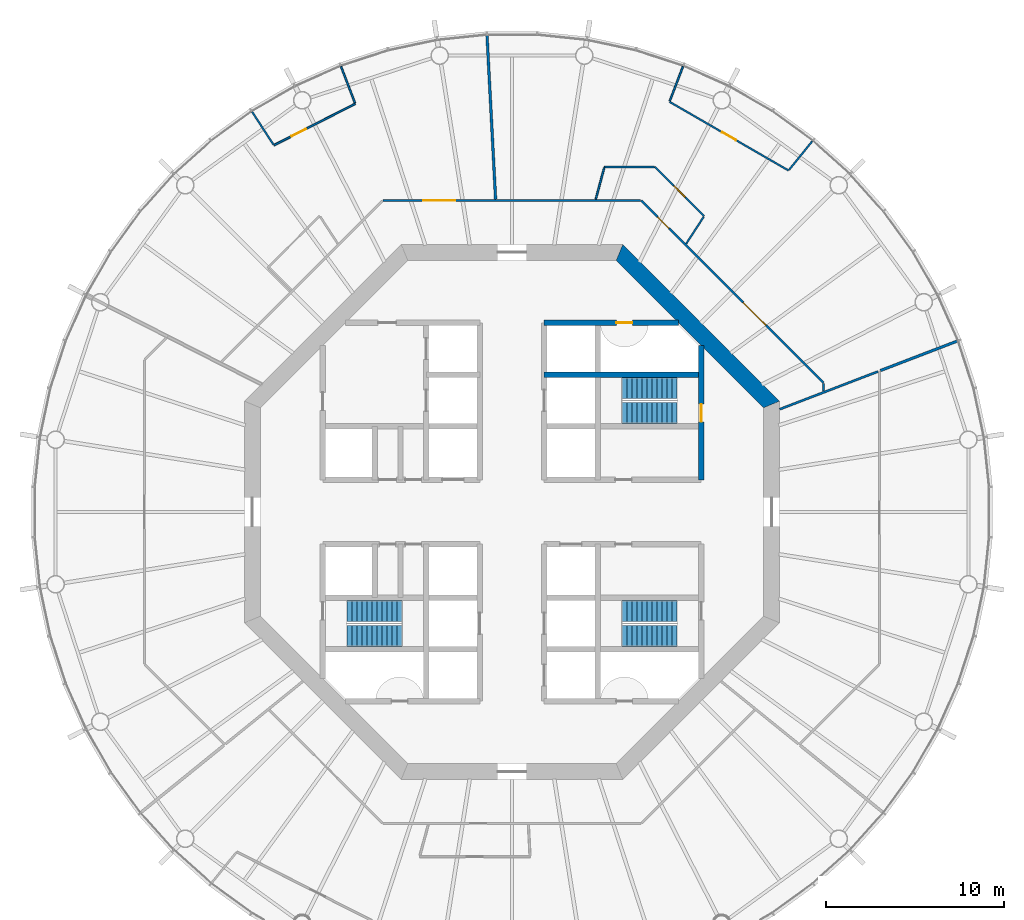
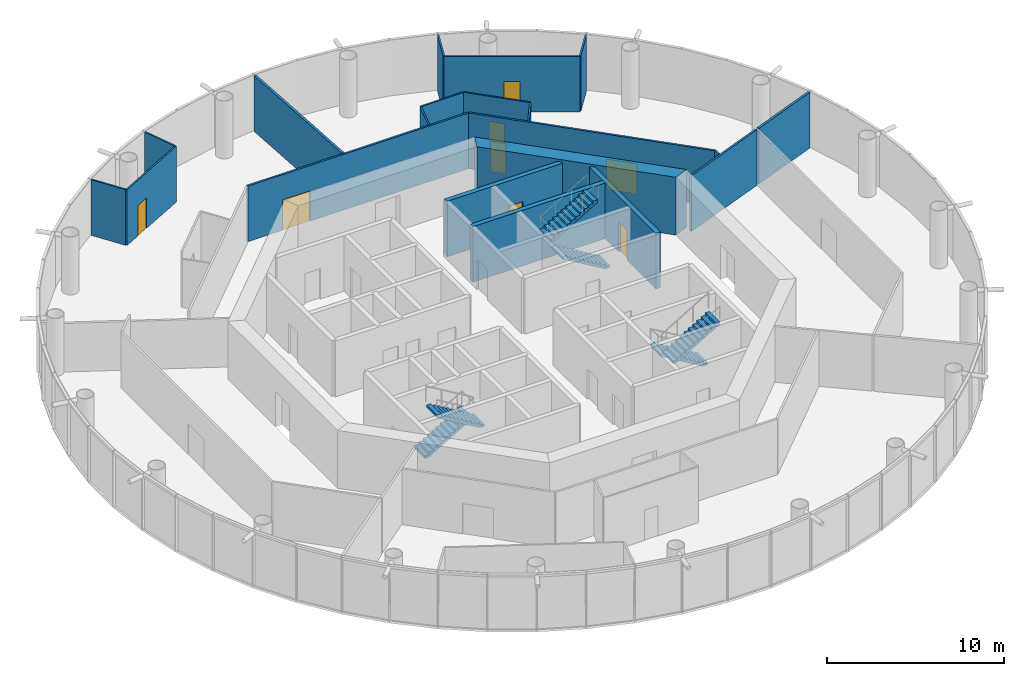
# One storey, part 5 of 12: 20 walls, 8 doors, 6 stair flights, 8 openings, 3 elements without a shape of their own.
"""IFC4 building model written with IfcOpenShell, lengths in metres."""

from ifc_helpers import new_model, si_unit, direction, frame, frame_2d, origin, place, context, subcontext, project, spatial, polyline, rectangle, outline, extrude, material, layer, layer_set, type_object, element, fill, aggregate, save


model = new_model("IFC4")

# Units and contexts
model_context = context("Model", 3, precision=1e-05, world=origin(), true_north=direction((0.0, 1.0)))
body_context = subcontext(model_context, "Body", "Model", "MODEL_VIEW")
ifc_project = project(units=[si_unit("LENGTHUNIT", "METRE"), si_unit("AREAUNIT", "SQUARE_METRE"), si_unit("VOLUMEUNIT", "CUBIC_METRE"), si_unit("PLANEANGLEUNIT", "RADIAN"), si_unit("MASSUNIT", "GRAM", prefix="KILO")], contexts=[model_context])

# Site, building, storey
site_placement = place(None, origin())
site = spatial("IfcSite", under=ifc_project, at=site_placement, CompositionType="ELEMENT")
building_placement = place(site_placement, origin())
building = spatial("IfcBuilding", under=site, at=building_placement, Name="Entoto Ring Tower", CompositionType="ELEMENT")
storey_placement = place(building_placement, frame((0.0, 0.0, 246.0)))
storey = spatial("IfcBuildingStorey", under=building, at=storey_placement, Name="L56", CompositionType="ELEMENT", Elevation=246.0)

# Wall, opening, door
ifc_material_1 = material(Name="Concrete C40/50", Category="concrete")
ifc_layer_1 = layer(ifc_material_1, 0.300048828125)
ifc_layer_set_1 = layer_set([ifc_layer_1], Name="Concrete C40/50")
wall_type_1 = type_object("IfcWallType", Name="Core enclosure wall 300 mm reinforced concrete", PredefinedType="SOLIDWALL", material=ifc_layer_set_1)
wall_1_placement = place(storey_placement, frame((100.60009765625, 81.800048828125, 0.0), z_axis=(0.0, 0.0, 1.0), x_axis=(0.0, 1.0, 0.0)))
wall_1 = element("IfcWall", 1, at=wall_1_placement, inside=storey, type_object=wall_type_1, Name="wall-L56-002", PredefinedType="SOLIDWALL", context=body_context, shape_type="SweptSolid", body=[
    extrude(rectangle(XDim=7.540283203125, YDim=0.300048828125, at=frame_2d((3.77001953125, 0.0))), origin(), (0.0, 0.0, 1.0), 3.85009765625),
])
opening_1_placement = place(wall_1_placement, frame((3.25, 0.0, 0.0)))
opening_1 = element("IfcOpeningElement", 2, at=opening_1_placement, cuts=wall_1, Name="Opening K-17", PredefinedType="OPENING", context=body_context, shape_type="SweptSolid", body=[
    extrude(rectangle(XDim=1.0, YDim=2.10009765625, at=frame_2d((0.5, 1.050048828125))), frame((0.0, 0.16015625, 0.0), z_axis=(0.0, -1.0, 0.0), x_axis=(1.0, 0.0, 0.0)), (0.0, 0.0, 1.0), 0.320068359375),
])
ifc_material_2 = material(Name="Steel door leaf, fire rated", Category="steel")
ifc_layer_2 = layer(ifc_material_2, 0.050048828125)
ifc_layer_set_2 = layer_set([ifc_layer_2], Name="Steel door leaf, fire rated")
door_type_1 = type_object("IfcDoorType", Name="Fire door FD60 1000 x 2100 single leaf", OperationType="NOTDEFINED", PredefinedType="DOOR", material=ifc_layer_set_2)
door_1_placement = place(opening_1_placement, origin())
door_1 = element("IfcDoor", 3, at=door_1_placement, inside=storey, type_object=door_type_1, Name="Door K-17", OperationType="SINGLE_SWING_LEFT", OverallHeight=2.10009765625, OverallWidth=1.0, PredefinedType="DOOR", context=body_context, shape_type="SweptSolid", body=[
    extrude(rectangle(XDim=1.0, YDim=2.10009765625, at=frame_2d((0.5, 1.050048828125))), frame((0.0, 0.02490234375, 0.0), z_axis=(0.0, -1.0, 0.0), x_axis=(1.0, 0.0, 0.0)), (0.0, 0.0, 1.0), 0.050048828125),
])
fill(opening_1, door_1)

# Wall
wall_2_placement = place(storey_placement, frame((91.800048828125, 87.699951171875, 0.0), z_axis=(0.0, 0.0, 1.0), x_axis=(1.0, 0.0, 0.0)))
element("IfcWall", 4, at=wall_2_placement, inside=storey, type_object=wall_type_1, Name="wall-L56-030", PredefinedType="SOLIDWALL", context=body_context, shape_type="SweptSolid", body=[
    extrude(rectangle(XDim=8.800048828125, YDim=0.300048828125, at=frame_2d((4.39990234375, 0.0))), origin(), (0.0, 0.0, 1.0), 3.85009765625),
])

# Wall, opening, door
wall_3_placement = place(storey_placement, frame((91.800048828125, 90.60009765625, 0.0), z_axis=(0.0, 0.0, 1.0), x_axis=(1.0, 0.0, 0.0)))
wall_3 = element("IfcWall", 5, at=wall_3_placement, inside=storey, type_object=wall_type_1, Name="wall-L56-032", PredefinedType="SOLIDWALL", context=body_context, shape_type="SweptSolid", body=[
    extrude(rectangle(XDim=7.540283203125, YDim=0.300048828125, at=frame_2d((3.77001953125, 0.0))), origin(), (0.0, 0.0, 1.0), 3.85009765625),
])
opening_2_placement = place(wall_3_placement, frame((4.050048828125, 0.0, 0.0)))
opening_2 = element("IfcOpeningElement", 6, at=opening_2_placement, cuts=wall_3, Name="Opening K-20", PredefinedType="OPENING", context=body_context, shape_type="SweptSolid", body=[
    extrude(rectangle(XDim=0.89990234375, YDim=2.10009765625, at=frame_2d((0.449951171875, 1.050048828125))), frame((0.0, 0.16015625, 0.0), z_axis=(0.0, -1.0, 0.0), x_axis=(1.0, 0.0, 0.0)), (0.0, 0.0, 1.0), 0.320068359375),
])
ifc_material_3 = material(Name="Steel door leaf, fire rated", Category="steel")
ifc_layer_3 = layer(ifc_material_3, 0.050048828125)
ifc_layer_set_3 = layer_set([ifc_layer_3], Name="Steel door leaf, fire rated")
door_type_2 = type_object("IfcDoorType", Name="Riser door FD60 900 x 2100 single leaf", OperationType="NOTDEFINED", PredefinedType="DOOR", material=ifc_layer_set_3)
door_2_placement = place(opening_2_placement, frame((0.89990234375, 0.0, 0.0), z_axis=(0.0, 0.0, 1.0), x_axis=(-1.0, 0.0, 0.0)))
door_2 = element("IfcDoor", 7, at=door_2_placement, inside=storey, type_object=door_type_2, Name="Door K-20", OperationType="SINGLE_SWING_RIGHT", OverallHeight=2.10009765625, OverallWidth=0.89990234375, PredefinedType="DOOR", context=body_context, shape_type="SweptSolid", body=[
    extrude(rectangle(XDim=0.89990234375, YDim=2.10009765625, at=frame_2d((0.449951171875, 1.050048828125))), frame((0.0, 0.02490234375, 0.0), z_axis=(0.0, -1.0, 0.0), x_axis=(1.0, 0.0, 0.0)), (0.0, 0.0, 1.0), 0.050048828125),
])
fill(opening_2, door_2)

# Wall
ifc_material_4 = material(Name="Concrete C50/60", Category="concrete")
ifc_layer_4 = layer(ifc_material_4, 0.89990234375)
ifc_layer_set_4 = layer_set([ifc_layer_4], Name="Concrete C50/60")
wall_type_2 = type_object("IfcWallType", Name="Core shear wall 900 mm reinforced concrete C50/60", PredefinedType="SHEAR", material=ifc_layer_set_4)
wall_4_placement = place(storey_placement, frame((104.550048828125, 86.02685546875, 0.0), z_axis=(0.0, 0.0, 1.0), x_axis=(-0.707106781187, 0.707106781187, 0.0)))
element("IfcWall", 8, at=wall_4_placement, inside=storey, type_object=wall_type_2, Name="wall-L56-core-1", PredefinedType="SHEAR", context=body_context, shape_type="SweptSolid", body=[
    extrude(outline(polyline([(-0.186279296875, -0.449951171875), (12.239990234375, -0.449951171875), (11.867431640625, 0.449951171875), (0.186279296875, 0.449951171875), (-0.186279296875, -0.449951171875)])), origin(), (0.0, 0.0, 1.0), 4.0),
])

# Wall, openings, doors
ifc_material_5 = material(Name="Fire-resisting plasterboard on steel studs", Category="steel")
ifc_layer_5 = layer(ifc_material_5, 0.125)
ifc_layer_set_5 = layer_set([ifc_layer_5], Name="Fire-resisting plasterboard on steel studs")
wall_type_3 = type_object("IfcWallType", Name="Corridor wall 125 mm one-hour plasterboard on steel studs", PredefinedType="PARTITIONING", material=ifc_layer_set_5)
wall_5_placement = place(storey_placement, frame((107.46240234375, 87.233154296875, 0.0), z_axis=(0.0, 0.0, 1.0), x_axis=(-0.707106781187, 0.707106781187, 0.0)))
wall_5 = element("IfcWall", 9, at=wall_5_placement, inside=storey, type_object=wall_type_3, Name="partition-L56-003", PredefinedType="PARTITIONING", context=body_context, shape_type="SweptSolid", body=[
    extrude(rectangle(XDim=14.46630859375, YDim=0.125, at=frame_2d((7.233154296875, 0.0))), origin(), (0.0, 0.0, 1.0), 3.85009765625),
])
opening_3_placement = place(wall_5_placement, frame((4.572509765625, 0.0, 0.0)))
opening_3 = element("IfcOpeningElement", 10, at=opening_3_placement, cuts=wall_5, Name="Opening A24-D03", PredefinedType="OPENING", context=body_context, shape_type="SweptSolid", body=[
    extrude(rectangle(XDim=1.800048828125, YDim=2.10009765625, at=frame_2d((0.89990234375, 1.050048828125))), frame((0.0, 0.072509765625, 0.0), z_axis=(0.0, -1.0, 0.0), x_axis=(1.0, 0.0, 0.0)), (0.0, 0.0, 1.0), 0.14501953125),
])
opening_4_placement = place(wall_5_placement, frame((12.255615234375, 0.0, 0.0)))
opening_4 = element("IfcOpeningElement", 11, at=opening_4_placement, cuts=wall_5, Name="Opening A24-D05", PredefinedType="OPENING", context=body_context, shape_type="SweptSolid", body=[
    extrude(rectangle(XDim=0.89990234375, YDim=2.10009765625, at=frame_2d((0.449951171875, 1.050048828125))), frame((0.0, 0.072509765625, 0.0), z_axis=(0.0, -1.0, 0.0), x_axis=(1.0, 0.0, 0.0)), (0.0, 0.0, 1.0), 0.14501953125),
])
ifc_material_6 = material(Name="Fire-resisting timber door set", Category="wood")
door_type_3 = type_object("IfcDoorType", Name="Door 1000 x 2100 single leaf FD30S fire door", OperationType="NOTDEFINED", PredefinedType="DOOR", material=ifc_material_6)
door_3_placement = place(opening_4_placement, frame((0.89990234375, 0.0, 0.0), z_axis=(0.0, 0.0, 1.0), x_axis=(-1.0, 0.0, 0.0)))
door_3 = element("IfcDoor", 12, at=door_3_placement, inside=storey, type_object=door_type_3, Name="Door A24-D05", OperationType="SINGLE_SWING_RIGHT", OverallHeight=2.10009765625, OverallWidth=0.89990234375, PredefinedType="DOOR", context=body_context, shape_type="SweptSolid", body=[
    extrude(rectangle(XDim=0.89990234375, YDim=2.10009765625, at=frame_2d((0.449951171875, 1.050048828125))), frame((0.0, 0.02490234375, 0.0), z_axis=(0.0, -1.0, 0.0), x_axis=(1.0, 0.0, 0.0)), (0.0, 0.0, 1.0), 0.050048828125),
])
fill(opening_4, door_3)
ifc_material_7 = material(Name="Fire-resisting timber door set", Category="wood")
door_type_4 = type_object("IfcDoorType", Name="Door 1800 x 2100 double leaf FD30S fire door", OperationType="DOUBLE_DOOR_SINGLE_SWING", PredefinedType="DOOR", material=ifc_material_7)
door_4_placement = place(opening_3_placement, frame((1.800048828125, 0.0, 0.0), z_axis=(0.0, 0.0, 1.0), x_axis=(-1.0, 0.0, 0.0)))
door_4 = element("IfcDoor", 13, at=door_4_placement, inside=storey, type_object=door_type_4, Name="Door A24-D03", OperationType="DOUBLE_DOOR_SINGLE_SWING", OverallHeight=2.10009765625, OverallWidth=1.800048828125, PredefinedType="DOOR", context=body_context, shape_type="SweptSolid", body=[
    extrude(rectangle(XDim=1.800048828125, YDim=2.10009765625, at=frame_2d((0.89990234375, 1.050048828125))), frame((0.0, 0.02490234375, 0.0), z_axis=(0.0, -1.0, 0.0), x_axis=(1.0, 0.0, 0.0)), (0.0, 0.0, 1.0), 0.050048828125),
])
fill(opening_3, door_4)

# Wall, opening, door
wall_6_placement = place(storey_placement, frame((82.766845703125, 97.46240234375, 0.0), z_axis=(0.0, 0.0, 1.0), x_axis=(1.0, 0.0, 0.0)))
wall_6 = element("IfcWall", 14, at=wall_6_placement, inside=storey, type_object=wall_type_3, Name="partition-L56-005", PredefinedType="PARTITIONING", context=body_context, shape_type="SweptSolid", body=[
    extrude(rectangle(XDim=14.42236328125, YDim=0.125, at=frame_2d((7.211181640625, 0.0))), origin(), (0.0, 0.0, 1.0), 3.85009765625),
])
opening_5_placement = place(wall_6_placement, frame((2.259033203125, 0.0, 0.0)))
opening_5 = element("IfcOpeningElement", 15, at=opening_5_placement, cuts=wall_6, Name="Opening A24-D07", PredefinedType="OPENING", context=body_context, shape_type="SweptSolid", body=[
    extrude(rectangle(XDim=1.800048828125, YDim=2.10009765625, at=frame_2d((0.89990234375, 1.050048828125))), frame((0.0, 0.072509765625, 0.0), z_axis=(0.0, -1.0, 0.0), x_axis=(1.0, 0.0, 0.0)), (0.0, 0.0, 1.0), 0.14501953125),
])
door_5_placement = place(opening_5_placement, origin())
door_5 = element("IfcDoor", 16, at=door_5_placement, inside=storey, type_object=door_type_4, Name="Door A24-D07", OperationType="DOUBLE_DOOR_SINGLE_SWING", OverallHeight=2.10009765625, OverallWidth=1.800048828125, PredefinedType="DOOR", context=body_context, shape_type="SweptSolid", body=[
    extrude(rectangle(XDim=1.800048828125, YDim=2.10009765625, at=frame_2d((0.89990234375, 1.050048828125))), frame((0.0, 0.02490234375, 0.0), z_axis=(0.0, -1.0, 0.0), x_axis=(1.0, 0.0, 0.0)), (0.0, 0.0, 1.0), 0.050048828125),
])
fill(opening_5, door_5)

# Walls
wall_7_placement = place(storey_placement, frame((105.0, 85.758056640625, 0.0), z_axis=(0.0, 0.0, 1.0), x_axis=(0.933592488158, 0.358336526264, 0.0)))
element("IfcWall", 17, at=wall_7_placement, inside=storey, type_object=wall_type_3, Name="partition-L56-011", PredefinedType="PARTITIONING", context=body_context, shape_type="SweptSolid", body=[
    extrude(rectangle(XDim=5.90771484375, YDim=0.125, at=frame_2d((2.953857421875, 0.0))), origin(), (0.0, 0.0, 1.0), 3.85009765625),
])
wall_8_placement = place(storey_placement, frame((107.46240234375, 86.7939453125, 0.0), z_axis=(0.0, 0.0, 1.0), x_axis=(0.0, 1.0, 0.0)))
element("IfcWall", 18, at=wall_8_placement, inside=storey, type_object=wall_type_3, Name="partition-L56-016", PredefinedType="PARTITIONING", context=body_context, shape_type="SweptSolid", body=[
    extrude(rectangle(XDim=0.395263671875, YDim=0.125, at=frame_2d((0.19775390625, 0.0))), origin(), (0.0, 0.0, 1.0), 3.85009765625),
])

# Wall, opening, door
ifc_material_8 = material(Name="Plasterboard on steel studs", Category="steel")
ifc_layer_6 = layer(ifc_material_8, 0.10009765625)
ifc_layer_set_6 = layer_set([ifc_layer_6], Name="Plasterboard on steel studs")
wall_type_4 = type_object("IfcWallType", Name="Partition 100 mm plasterboard on steel studs", PredefinedType="PARTITIONING", material=ifc_layer_set_6)
wall_9_placement = place(storey_placement, frame((105.500244140625, 99.14111328125, 0.0), z_axis=(0.0, 0.0, 1.0), x_axis=(-0.866023614981, 0.500003098285, 0.0)))
wall_9 = element("IfcWall", 19, at=wall_9_placement, inside=storey, type_object=wall_type_4, Name="partition-L56-023", PredefinedType="PARTITIONING", context=body_context, shape_type="SweptSolid", body=[
    extrude(rectangle(XDim=7.7060546875, YDim=0.10009765625, at=frame_2d((3.85302734375, 0.0))), origin(), (0.0, 0.0, 1.0), 3.85009765625),
])
opening_6_placement = place(wall_9_placement, frame((3.403076171875, 0.0, 0.0)))
opening_6 = element("IfcOpeningElement", 20, at=opening_6_placement, cuts=wall_9, Name="Opening A24-D06", PredefinedType="OPENING", context=body_context, shape_type="SweptSolid", body=[
    extrude(rectangle(XDim=0.89990234375, YDim=2.10009765625, at=frame_2d((0.449951171875, 1.050048828125))), frame((0.0, 0.06005859375, 0.0), z_axis=(0.0, -1.0, 0.0), x_axis=(1.0, 0.0, 0.0)), (0.0, 0.0, 1.0), 0.1201171875),
])
ifc_material_9 = material(Name="Veneered timber door leaf in timber frame", Category="wood")
door_type_5 = type_object("IfcDoorType", Name="Door 900 x 2100 single leaf timber veneer", OperationType="NOTDEFINED", PredefinedType="DOOR", material=ifc_material_9)
door_6_placement = place(opening_6_placement, frame((0.89990234375, 0.0, 0.0), z_axis=(0.0, 0.0, 1.0), x_axis=(-1.0, 0.0, 0.0)))
door_6 = element("IfcDoor", 21, at=door_6_placement, inside=storey, type_object=door_type_5, Name="Door A24-D06", OperationType="SINGLE_SWING_RIGHT", OverallHeight=2.10009765625, OverallWidth=0.89990234375, PredefinedType="DOOR", context=body_context, shape_type="SweptSolid", body=[
    extrude(rectangle(XDim=0.89990234375, YDim=2.10009765625, at=frame_2d((0.449951171875, 1.050048828125))), frame((0.0, 0.02490234375, 0.0), z_axis=(0.0, -1.0, 0.0), x_axis=(1.0, 0.0, 0.0)), (0.0, 0.0, 1.0), 0.050048828125),
])
fill(opening_6, door_6)

wall_10_placement = place(storey_placement, frame((76.65087890625, 100.555908203125, 0.0), z_axis=(0.0, 0.0, 1.0), x_axis=(0.891008950858, 0.4539857371, 0.0)))
wall_10 = element("IfcWall", 22, at=wall_10_placement, inside=storey, type_object=wall_type_4, Name="partition-L56-025", PredefinedType="PARTITIONING", context=body_context, shape_type="SweptSolid", body=[
    extrude(rectangle(XDim=5.123779296875, YDim=0.10009765625, at=frame_2d((2.56201171875, 0.0))), origin(), (0.0, 0.0, 1.0), 3.85009765625),
])
opening_7_placement = place(wall_10_placement, frame((1.11474609375, 0.0, 0.0)))
opening_7 = element("IfcOpeningElement", 23, at=opening_7_placement, cuts=wall_10, Name="Opening A24-D09", PredefinedType="OPENING", context=body_context, shape_type="SweptSolid", body=[
    extrude(rectangle(XDim=0.89990234375, YDim=2.10009765625, at=frame_2d((0.449951171875, 1.050048828125))), frame((0.0, 0.06005859375, 0.0), z_axis=(0.0, -1.0, 0.0), x_axis=(1.0, 0.0, 0.0)), (0.0, 0.0, 1.0), 0.1201171875),
])
door_7_placement = place(opening_7_placement, origin())
door_7 = element("IfcDoor", 24, at=door_7_placement, inside=storey, type_object=door_type_5, Name="Door A24-D09", OperationType="SINGLE_SWING_LEFT", OverallHeight=2.10009765625, OverallWidth=0.89990234375, PredefinedType="DOOR", context=body_context, shape_type="SweptSolid", body=[
    extrude(rectangle(XDim=0.89990234375, YDim=2.10009765625, at=frame_2d((0.449951171875, 1.050048828125))), frame((0.0, 0.02490234375, 0.0), z_axis=(0.0, -1.0, 0.0), x_axis=(1.0, 0.0, 0.0)), (0.0, 0.0, 1.0), 0.050048828125),
])
fill(opening_7, door_7)

wall_11_placement = place(storey_placement, frame((100.77001953125, 96.58447265625, 0.0), z_axis=(0.0, 0.0, 1.0), x_axis=(-0.707106781187, 0.707106781187, 0.0)))
wall_11 = element("IfcWall", 25, at=wall_11_placement, inside=storey, type_object=wall_type_4, Name="partition-L56-027", PredefinedType="PARTITIONING", context=body_context, shape_type="SweptSolid", body=[
    extrude(rectangle(XDim=3.900390625, YDim=0.10009765625, at=frame_2d((1.9501953125, 0.0))), origin(), (0.0, 0.0, 1.0), 3.85009765625),
])
opening_8_placement = place(wall_11_placement, frame((1.500244140625, 0.0, 0.0)))
opening_8 = element("IfcOpeningElement", 26, at=opening_8_placement, cuts=wall_11, Name="Opening A24-D04", PredefinedType="OPENING", context=body_context, shape_type="SweptSolid", body=[
    extrude(rectangle(XDim=0.89990234375, YDim=2.10009765625, at=frame_2d((0.449951171875, 1.050048828125))), frame((0.0, 0.06005859375, 0.0), z_axis=(0.0, -1.0, 0.0), x_axis=(1.0, 0.0, 0.0)), (0.0, 0.0, 1.0), 0.1201171875),
])
door_8_placement = place(opening_8_placement, origin())
door_8 = element("IfcDoor", 27, at=door_8_placement, inside=storey, type_object=door_type_5, Name="Door A24-D04", OperationType="SINGLE_SWING_LEFT", OverallHeight=2.10009765625, OverallWidth=0.89990234375, PredefinedType="DOOR", context=body_context, shape_type="SweptSolid", body=[
    extrude(rectangle(XDim=0.89990234375, YDim=2.10009765625, at=frame_2d((0.449951171875, 1.050048828125))), frame((0.0, 0.02490234375, 0.0), z_axis=(0.0, -1.0, 0.0), x_axis=(1.0, 0.0, 0.0)), (0.0, 0.0, 1.0), 0.050048828125),
])
fill(opening_8, door_8)

# Walls
wall_12_placement = place(storey_placement, frame((95.182861328125, 99.342529296875, 0.0), z_axis=(0.0, 0.0, 1.0), x_axis=(1.0, 0.0, 0.0)))
element("IfcWall", 28, at=wall_12_placement, inside=storey, type_object=wall_type_4, Name="partition-L56-028", PredefinedType="PARTITIONING", context=body_context, shape_type="SweptSolid", body=[
    extrude(rectangle(XDim=2.7939453125, YDim=0.10009765625, at=frame_2d((1.39697265625, 0.0))), origin(), (0.0, 0.0, 1.0), 3.85009765625),
])
wall_13_placement = place(storey_placement, frame((81.198486328125, 102.928466796875, 0.0), z_axis=(0.0, 0.0, 1.0), x_axis=(-0.35834116207, 0.933590708805, 0.0)))
element("IfcWall", 29, at=wall_13_placement, inside=storey, type_object=wall_type_4, Name="partition-L56-029", PredefinedType="PARTITIONING", context=body_context, shape_type="SweptSolid", body=[
    extrude(rectangle(XDim=2.18017578125, YDim=0.10009765625, at=frame_2d((1.090087890625, 0.0))), origin(), (0.0, 0.0, 1.0), 3.85009765625),
])
wall_14_placement = place(storey_placement, frame((76.623779296875, 100.597412109375, 0.0), z_axis=(0.0, 0.0, 1.0), x_axis=(-0.544634083257, 0.838673783634, 0.0)))
element("IfcWall", 30, at=wall_14_placement, inside=storey, type_object=wall_type_4, Name="partition-L56-031", PredefinedType="PARTITIONING", context=body_context, shape_type="SweptSolid", body=[
    extrude(rectangle(XDim=2.180419921875, YDim=0.10009765625, at=frame_2d((1.09033203125, 0.0))), origin(), (0.0, 0.0, 1.0), 3.85009765625),
])
wall_15_placement = place(storey_placement, frame((98.84423828125, 103.0400390625, 0.0), z_axis=(0.0, 0.0, 1.0), x_axis=(0.358383583251, 0.93357442513, 0.0)))
element("IfcWall", 31, at=wall_15_placement, inside=storey, type_object=wall_type_4, Name="partition-L56-033", PredefinedType="PARTITIONING", context=body_context, shape_type="SweptSolid", body=[
    extrude(rectangle(XDim=2.060791015625, YDim=0.10009765625, at=frame_2d((1.0302734375, 0.0))), origin(), (0.0, 0.0, 1.0), 3.85009765625),
])
wall_16_placement = place(storey_placement, frame((105.53125, 99.179443359375, 0.0), z_axis=(0.0, 0.0, 1.0), x_axis=(0.629235718864, 0.777214520005, 0.0)))
element("IfcWall", 32, at=wall_16_placement, inside=storey, type_object=wall_type_4, Name="partition-L56-034", PredefinedType="PARTITIONING", context=body_context, shape_type="SweptSolid", body=[
    extrude(rectangle(XDim=2.060546875, YDim=0.10009765625, at=frame_2d((1.0302734375, 0.0))), origin(), (0.0, 0.0, 1.0), 3.85009765625),
])
wall_17_placement = place(storey_placement, frame((94.69921875, 97.537841796875, 0.0), z_axis=(0.0, 0.0, 1.0), x_axis=(0.25888135243, 0.965909128937, 0.0)))
element("IfcWall", 33, at=wall_17_placement, inside=storey, type_object=wall_type_4, Name="partition-L56-035", PredefinedType="PARTITIONING", context=body_context, shape_type="SweptSolid", body=[
    extrude(rectangle(XDim=1.820068359375, YDim=0.10009765625, at=frame_2d((0.91015625, 0.0))), origin(), (0.0, 0.0, 1.0), 3.85009765625),
])
wall_18_placement = place(storey_placement, frame((99.763916015625, 95.034912109375, 0.0), z_axis=(0.0, 0.0, 1.0), x_axis=(0.544573203317, 0.838713315877, 0.0)))
element("IfcWall", 34, at=wall_18_placement, inside=storey, type_object=wall_type_4, Name="partition-L56-038", PredefinedType="PARTITIONING", context=body_context, shape_type="SweptSolid", body=[
    extrude(rectangle(XDim=1.798583984375, YDim=0.10009765625, at=frame_2d((0.8994140625, 0.0))), origin(), (0.0, 0.0, 1.0), 3.85009765625),
])
ifc_material_10 = material(Name="Fire-resisting acoustic plasterboard on steel studs", Category="steel")
ifc_layer_7 = layer(ifc_material_10, 0.14990234375)
ifc_layer_set_7 = layer_set([ifc_layer_7], Name="Fire-resisting acoustic plasterboard on steel studs")
wall_type_5 = type_object("IfcWallType", Name="Party wall 150 mm one-hour acoustic plasterboard on steel studs", PredefinedType="PARTITIONING", material=ifc_layer_set_7)
wall_19_placement = place(storey_placement, frame((89.081298828125, 97.52880859375, 0.0), z_axis=(0.0, 0.0, 1.0), x_axis=(-0.052324509301, 0.998630134598, 0.0)))
element("IfcWall", 35, at=wall_19_placement, inside=storey, type_object=wall_type_5, Name="partition-L56-017", PredefinedType="PARTITIONING", context=body_context, shape_type="SweptSolid", body=[
    extrude(rectangle(XDim=9.187255859375, YDim=0.14990234375, at=frame_2d((4.59375, 0.0))), origin(), (0.0, 0.0, 1.0), 3.85009765625),
])
wall_20_placement = place(storey_placement, frame((110.654296875, 87.928466796875, 0.0), z_axis=(0.0, 0.0, 1.0), x_axis=(0.933579859324, 0.358369427078, 0.0)))
element("IfcWall", 36, at=wall_20_placement, inside=storey, type_object=wall_type_5, Name="partition-L56-021", PredefinedType="PARTITIONING", context=body_context, shape_type="SweptSolid", body=[
    extrude(rectangle(XDim=4.6162109375, YDim=0.14990234375, at=frame_2d((2.30810546875, 0.0))), origin(), (0.0, 0.0, 1.0), 3.85009765625),
])

# Stair, stair flights
ifc_material_11 = material(Name="Concrete C40/50", Category="concrete")
stair_type = type_object("IfcStairType", Name="Exit stair 1200 mm dog-leg reinforced concrete", PredefinedType="HALF_TURN_STAIR", material=ifc_material_11)
stair_1_placement = place(storey_placement, origin())
stair_1 = element("IfcStair", 37, at=stair_1_placement, inside=storey, type_object=stair_type, Name="Exit stair 1", PredefinedType="HALF_TURN_STAIR")
ifc_material_12 = material(Name="Concrete C40/50", Category="concrete")
stair_flight_type = type_object("IfcStairFlightType", Name="Stair flight 1200 mm reinforced concrete", PredefinedType="STRAIGHT", material=ifc_material_12)
stair_flight_1_placement = place(storey_placement, frame((99.25, 85.550048828125, 0.0), z_axis=(0.0, 0.0, 1.0), x_axis=(-1.0, 0.0, 0.0)))
stair_flight_1 = element("IfcStairFlight", 38, at=stair_flight_1_placement, type_object=stair_flight_type, Name="ST1 flight 1", NumberOfRisers=12, NumberOfTreads=11, PredefinedType="STRAIGHT", RiserHeight=0.166666667, TreadLength=0.28, context=body_context, shape_type="SweptSolid", body=[
    extrude(outline(polyline([(0.0, 0.0), (0.0, 0.166748046875), (0.280029296875, 0.166748046875), (0.280029296875, 0.333251953125), (0.56005859375, 0.333251953125), (0.56005859375, 0.5), (0.840087890625, 0.5), (0.840087890625, 0.666748046875), (1.1201171875, 0.666748046875), (1.1201171875, 0.833251953125), (1.39990234375, 0.833251953125), (1.39990234375, 1.0), (1.679931640625, 1.0), (1.679931640625, 1.166748046875), (1.9599609375, 1.166748046875), (1.9599609375, 1.333251953125), (2.239990234375, 1.333251953125), (2.239990234375, 1.5), (2.52001953125, 1.5), (2.52001953125, 1.666748046875), (2.800048828125, 1.666748046875), (2.800048828125, 1.833251953125), (3.080078125, 1.833251953125), (3.080078125, 2.0), (3.080078125, 1.658935546875), (0.29296875, 0.0), (0.0, 0.0)])), frame((0.0, 0.60009765625, 0.0), z_axis=(0.0, -1.0, 0.0), x_axis=(1.0, 0.0, 0.0)), (0.0, 0.0, 1.0), 1.199951171875),
])
stair_flight_2_placement = place(storey_placement, frame((96.169921875, 86.949951171875, 2.0), z_axis=(0.0, 0.0, 1.0), x_axis=(1.0, 0.0, 0.0)))
stair_flight_2 = element("IfcStairFlight", 39, at=stair_flight_2_placement, type_object=stair_flight_type, Name="ST1 flight 2", NumberOfRisers=12, NumberOfTreads=11, PredefinedType="STRAIGHT", RiserHeight=0.166666667, TreadLength=0.28, context=body_context, shape_type="SweptSolid", body=[
    extrude(outline(polyline([(0.0, 0.0), (0.0, 0.166748046875), (0.280029296875, 0.166748046875), (0.280029296875, 0.333251953125), (0.56005859375, 0.333251953125), (0.56005859375, 0.5), (0.840087890625, 0.5), (0.840087890625, 0.666748046875), (1.1201171875, 0.666748046875), (1.1201171875, 0.833251953125), (1.39990234375, 0.833251953125), (1.39990234375, 1.0), (1.679931640625, 1.0), (1.679931640625, 1.166748046875), (1.9599609375, 1.166748046875), (1.9599609375, 1.333251953125), (2.239990234375, 1.333251953125), (2.239990234375, 1.5), (2.52001953125, 1.5), (2.52001953125, 1.666748046875), (2.800048828125, 1.666748046875), (2.800048828125, 1.833251953125), (3.080078125, 1.833251953125), (3.080078125, 2.0), (3.080078125, 1.658935546875), (0.29296875, 0.0), (0.0, 0.0)])), frame((0.0, 0.60009765625, 0.0), z_axis=(0.0, -1.0, 0.0), x_axis=(1.0, 0.0, 0.0)), (0.0, 0.0, 1.0), 1.199951171875),
])
aggregate(stair_1, [stair_flight_1, stair_flight_2])

stair_2_placement = place(storey_placement, origin())
stair_2 = element("IfcStair", 40, at=stair_2_placement, inside=storey, type_object=stair_type, Name="Exit stair 2", PredefinedType="HALF_TURN_STAIR")
stair_flight_3_placement = place(storey_placement, frame((80.75, 74.449951171875, 0.0), z_axis=(0.0, 0.0, 1.0), x_axis=(1.0, 0.0, 0.0)))
stair_flight_3 = element("IfcStairFlight", 41, at=stair_flight_3_placement, type_object=stair_flight_type, Name="ST2 flight 1", NumberOfRisers=12, NumberOfTreads=11, PredefinedType="STRAIGHT", RiserHeight=0.166666667, TreadLength=0.28, context=body_context, shape_type="SweptSolid", body=[
    extrude(outline(polyline([(0.0, 0.0), (0.0, 0.166748046875), (0.280029296875, 0.166748046875), (0.280029296875, 0.333251953125), (0.56005859375, 0.333251953125), (0.56005859375, 0.5), (0.840087890625, 0.5), (0.840087890625, 0.666748046875), (1.1201171875, 0.666748046875), (1.1201171875, 0.833251953125), (1.39990234375, 0.833251953125), (1.39990234375, 1.0), (1.679931640625, 1.0), (1.679931640625, 1.166748046875), (1.9599609375, 1.166748046875), (1.9599609375, 1.333251953125), (2.239990234375, 1.333251953125), (2.239990234375, 1.5), (2.52001953125, 1.5), (2.52001953125, 1.666748046875), (2.800048828125, 1.666748046875), (2.800048828125, 1.833251953125), (3.080078125, 1.833251953125), (3.080078125, 2.0), (3.080078125, 1.658935546875), (0.29296875, 0.0), (0.0, 0.0)])), frame((0.0, 0.60009765625, 0.0), z_axis=(0.0, -1.0, 0.0), x_axis=(1.0, 0.0, 0.0)), (0.0, 0.0, 1.0), 1.199951171875),
])
stair_flight_4_placement = place(storey_placement, frame((83.830078125, 73.050048828125, 2.0), z_axis=(0.0, 0.0, 1.0), x_axis=(-1.0, 0.0, 0.0)))
stair_flight_4 = element("IfcStairFlight", 42, at=stair_flight_4_placement, type_object=stair_flight_type, Name="ST2 flight 2", NumberOfRisers=12, NumberOfTreads=11, PredefinedType="STRAIGHT", RiserHeight=0.166666667, TreadLength=0.28, context=body_context, shape_type="SweptSolid", body=[
    extrude(outline(polyline([(0.0, 0.0), (0.0, 0.166748046875), (0.280029296875, 0.166748046875), (0.280029296875, 0.333251953125), (0.56005859375, 0.333251953125), (0.56005859375, 0.5), (0.840087890625, 0.5), (0.840087890625, 0.666748046875), (1.1201171875, 0.666748046875), (1.1201171875, 0.833251953125), (1.39990234375, 0.833251953125), (1.39990234375, 1.0), (1.679931640625, 1.0), (1.679931640625, 1.166748046875), (1.9599609375, 1.166748046875), (1.9599609375, 1.333251953125), (2.239990234375, 1.333251953125), (2.239990234375, 1.5), (2.52001953125, 1.5), (2.52001953125, 1.666748046875), (2.800048828125, 1.666748046875), (2.800048828125, 1.833251953125), (3.080078125, 1.833251953125), (3.080078125, 2.0), (3.080078125, 1.658935546875), (0.29296875, 0.0), (0.0, 0.0)])), frame((0.0, 0.60009765625, 0.0), z_axis=(0.0, -1.0, 0.0), x_axis=(1.0, 0.0, 0.0)), (0.0, 0.0, 1.0), 1.199951171875),
])
aggregate(stair_2, [stair_flight_3, stair_flight_4])

stair_3_placement = place(storey_placement, origin())
stair_3 = element("IfcStair", 43, at=stair_3_placement, inside=storey, type_object=stair_type, Name="Exit stair 3", PredefinedType="HALF_TURN_STAIR")
stair_flight_5_placement = place(storey_placement, frame((99.25, 74.449951171875, 0.0), z_axis=(0.0, 0.0, 1.0), x_axis=(-1.0, 0.0, 0.0)))
stair_flight_5 = element("IfcStairFlight", 44, at=stair_flight_5_placement, type_object=stair_flight_type, Name="ST3 flight 1", NumberOfRisers=12, NumberOfTreads=11, PredefinedType="STRAIGHT", RiserHeight=0.166666667, TreadLength=0.28, context=body_context, shape_type="SweptSolid", body=[
    extrude(outline(polyline([(0.0, 0.0), (0.0, 0.166748046875), (0.280029296875, 0.166748046875), (0.280029296875, 0.333251953125), (0.56005859375, 0.333251953125), (0.56005859375, 0.5), (0.840087890625, 0.5), (0.840087890625, 0.666748046875), (1.1201171875, 0.666748046875), (1.1201171875, 0.833251953125), (1.39990234375, 0.833251953125), (1.39990234375, 1.0), (1.679931640625, 1.0), (1.679931640625, 1.166748046875), (1.9599609375, 1.166748046875), (1.9599609375, 1.333251953125), (2.239990234375, 1.333251953125), (2.239990234375, 1.5), (2.52001953125, 1.5), (2.52001953125, 1.666748046875), (2.800048828125, 1.666748046875), (2.800048828125, 1.833251953125), (3.080078125, 1.833251953125), (3.080078125, 2.0), (3.080078125, 1.658935546875), (0.29296875, 0.0), (0.0, 0.0)])), frame((0.0, 0.60009765625, 0.0), z_axis=(0.0, -1.0, 0.0), x_axis=(1.0, 0.0, 0.0)), (0.0, 0.0, 1.0), 1.199951171875),
])
stair_flight_6_placement = place(storey_placement, frame((96.169921875, 73.050048828125, 2.0), z_axis=(0.0, 0.0, 1.0), x_axis=(1.0, 0.0, 0.0)))
stair_flight_6 = element("IfcStairFlight", 45, at=stair_flight_6_placement, type_object=stair_flight_type, Name="ST3 flight 2", NumberOfRisers=12, NumberOfTreads=11, PredefinedType="STRAIGHT", RiserHeight=0.166666667, TreadLength=0.28, context=body_context, shape_type="SweptSolid", body=[
    extrude(outline(polyline([(0.0, 0.0), (0.0, 0.166748046875), (0.280029296875, 0.166748046875), (0.280029296875, 0.333251953125), (0.56005859375, 0.333251953125), (0.56005859375, 0.5), (0.840087890625, 0.5), (0.840087890625, 0.666748046875), (1.1201171875, 0.666748046875), (1.1201171875, 0.833251953125), (1.39990234375, 0.833251953125), (1.39990234375, 1.0), (1.679931640625, 1.0), (1.679931640625, 1.166748046875), (1.9599609375, 1.166748046875), (1.9599609375, 1.333251953125), (2.239990234375, 1.333251953125), (2.239990234375, 1.5), (2.52001953125, 1.5), (2.52001953125, 1.666748046875), (2.800048828125, 1.666748046875), (2.800048828125, 1.833251953125), (3.080078125, 1.833251953125), (3.080078125, 2.0), (3.080078125, 1.658935546875), (0.29296875, 0.0), (0.0, 0.0)])), frame((0.0, 0.60009765625, 0.0), z_axis=(0.0, -1.0, 0.0), x_axis=(1.0, 0.0, 0.0)), (0.0, 0.0, 1.0), 1.199951171875),
])
aggregate(stair_3, [stair_flight_5, stair_flight_6])

save(model, "model.ifc")
